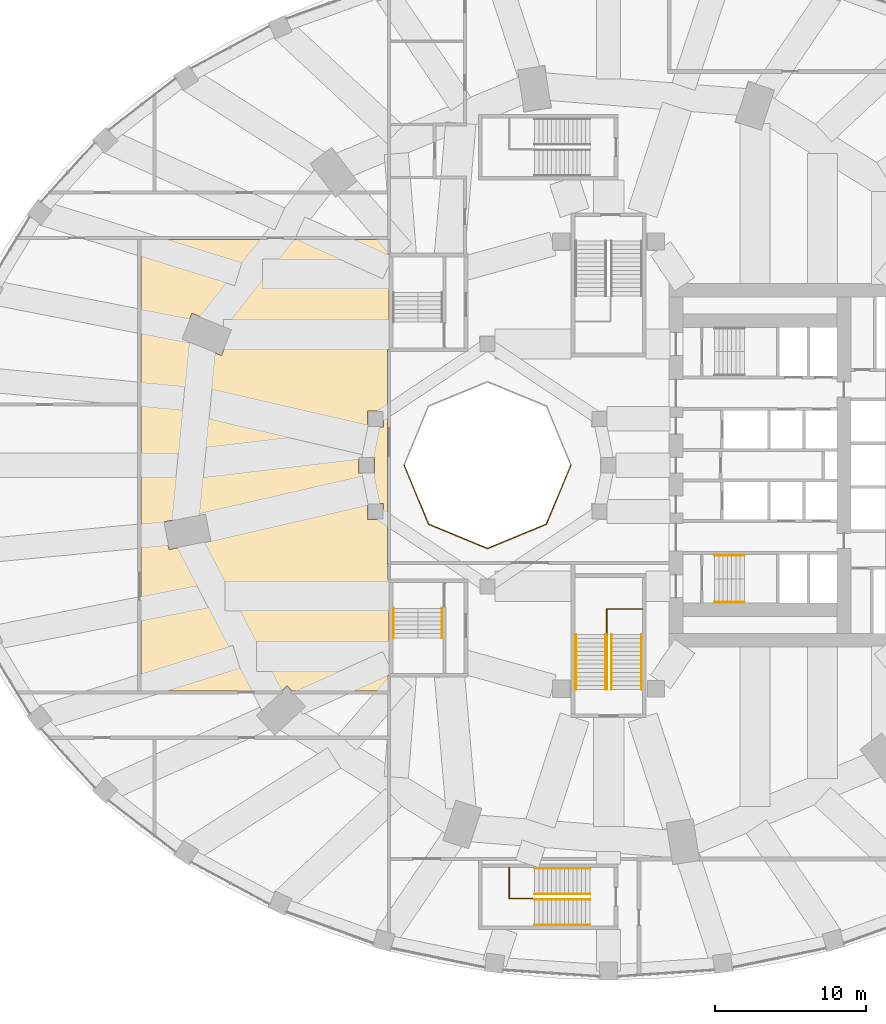
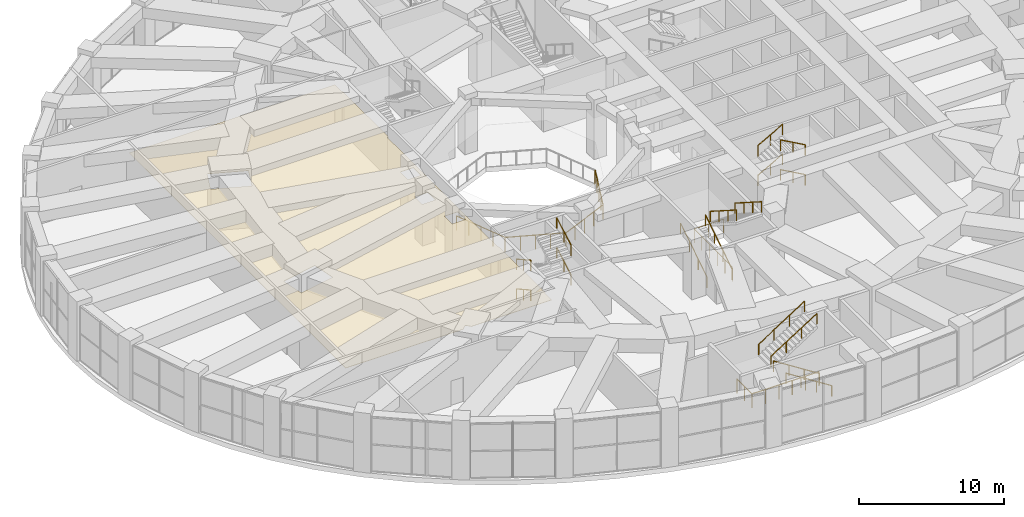
# One storey, part 28 of 32: 19 railings, 1 covering.
"""IFC4 building model written with IfcOpenShell, lengths in metres."""

from ifc_helpers import new_model, si_unit, direction, frame, origin, origin_2d, place, context, subcontext, project, spatial, polyline, circle, outline, extrude, material, layer, layer_set, type_object, element, save


model = new_model("IFC4")

# Units and contexts
model_context = context("Model", 3, precision=1e-05, world=origin(), true_north=direction((0.0, 1.0)))
body_context = subcontext(model_context, "Body", "Model", "MODEL_VIEW")
ifc_project = project(units=[si_unit("LENGTHUNIT", "METRE"), si_unit("AREAUNIT", "SQUARE_METRE"), si_unit("VOLUMEUNIT", "CUBIC_METRE"), si_unit("PLANEANGLEUNIT", "RADIAN"), si_unit("MASSUNIT", "GRAM", prefix="KILO")], contexts=[model_context])

# Site, building, storey
site_placement = place(None, origin())
site = spatial("IfcSite", under=ifc_project, at=site_placement, CompositionType="ELEMENT")
building_placement = place(site_placement, origin())
building = spatial("IfcBuilding", under=site, at=building_placement, Name="Taillehof Tower", CompositionType="ELEMENT")
storey_placement = place(building_placement, frame((0.0, 0.0, 7.5)))
storey = spatial("IfcBuildingStorey", under=building, at=storey_placement, Name="L01", CompositionType="ELEMENT", Elevation=7.5)

# Railings
ifc_material_1 = material(Name="Stainless steel and laminated glass", Category="steel")
railing_type_1 = type_object("IfcRailingType", Name="Guard 1200 mm", PredefinedType="GUARDRAIL", material=ifc_material_1)
railing_1_placement = place(storey_placement, frame((-13.5, 0.0, 0.0)))
element("IfcRailing", 1, at=railing_1_placement, inside=storey, type_object=railing_type_1, Name="Guard atrium", PredefinedType="GUARDRAIL", context=body_context, shape_type="SweptSolid", body=[
    extrude(circle(Radius=0.02392578125, at=origin_2d()), frame((0.0, 0.0, 1.17578125), z_axis=(0.38266253946, -0.923888186359, 0.0), x_axis=(0.923888186359, 0.38266253946, 0.0)), (0.0, 0.0, 1.0), 4.20947265625),
    extrude(circle(Radius=0.02392578125, at=origin_2d()), frame((1.61083984375, -3.88916015625, 1.17578125), z_axis=(0.923888186359, -0.38266253946, 0.0), x_axis=(0.38266253946, 0.923888186359, 0.0)), (0.0, 0.0, 1.0), 4.20947265625),
    extrude(circle(Radius=0.02392578125, at=origin_2d()), frame((5.5, -5.5, 1.17578125), z_axis=(0.923888186359, 0.38266253946, 0.0), x_axis=(-0.38266253946, 0.923888186359, 0.0)), (0.0, 0.0, 1.0), 4.20947265625),
    extrude(circle(Radius=0.02392578125, at=origin_2d()), frame((9.38916015625, -3.88916015625, 1.17578125), z_axis=(0.38266253946, 0.923888186359, 0.0), x_axis=(-0.923888186359, 0.38266253946, 0.0)), (0.0, 0.0, 1.0), 4.20947265625),
    extrude(circle(Radius=0.02099609375, at=origin_2d()), origin(), (0.0, 0.0, 1.0), 1.15185546875),
    extrude(circle(Radius=0.02099609375, at=origin_2d()), frame((0.40283203125, -0.97216796875, 0.0)), (0.0, 0.0, 1.0), 1.15185546875),
    extrude(circle(Radius=0.02099609375, at=origin_2d()), frame((0.805419921875, -1.944580078125, 0.0)), (0.0, 0.0, 1.0), 1.15185546875),
    extrude(circle(Radius=0.02099609375, at=origin_2d()), frame((1.2080078125, -2.9169921875, 0.0)), (0.0, 0.0, 1.0), 1.15185546875),
    extrude(circle(Radius=0.02099609375, at=origin_2d()), frame((1.61083984375, -3.88916015625, 0.0)), (0.0, 0.0, 1.0), 1.15185546875),
    extrude(circle(Radius=0.02099609375, at=origin_2d()), frame((2.5830078125, -4.2919921875, 0.0)), (0.0, 0.0, 1.0), 1.15185546875),
    extrude(circle(Radius=0.02099609375, at=origin_2d()), frame((3.555419921875, -4.694580078125, 0.0)), (0.0, 0.0, 1.0), 1.15185546875),
    extrude(circle(Radius=0.02099609375, at=origin_2d()), frame((4.52783203125, -5.09716796875, 0.0)), (0.0, 0.0, 1.0), 1.15185546875),
    extrude(circle(Radius=0.02099609375, at=origin_2d()), frame((5.5, -5.5, 0.0)), (0.0, 0.0, 1.0), 1.15185546875),
    extrude(circle(Radius=0.02099609375, at=origin_2d()), frame((6.47216796875, -5.09716796875, 0.0)), (0.0, 0.0, 1.0), 1.15185546875),
    extrude(circle(Radius=0.02099609375, at=origin_2d()), frame((7.444580078125, -4.694580078125, 0.0)), (0.0, 0.0, 1.0), 1.15185546875),
    extrude(circle(Radius=0.02099609375, at=origin_2d()), frame((8.4169921875, -4.2919921875, 0.0)), (0.0, 0.0, 1.0), 1.15185546875),
    extrude(circle(Radius=0.02099609375, at=origin_2d()), frame((9.38916015625, -3.88916015625, 0.0)), (0.0, 0.0, 1.0), 1.15185546875),
    extrude(circle(Radius=0.02099609375, at=origin_2d()), frame((9.7919921875, -2.9169921875, 0.0)), (0.0, 0.0, 1.0), 1.15185546875),
    extrude(circle(Radius=0.02099609375, at=origin_2d()), frame((10.194580078125, -1.944580078125, 0.0)), (0.0, 0.0, 1.0), 1.15185546875),
    extrude(circle(Radius=0.02099609375, at=origin_2d()), frame((10.59716796875, -0.97216796875, 0.0)), (0.0, 0.0, 1.0), 1.15185546875),
    extrude(circle(Radius=0.02099609375, at=origin_2d()), frame((11.0, 0.0, 0.0)), (0.0, 0.0, 1.0), 1.15185546875),
])
railing_2_placement = place(storey_placement, frame((-0.125, -14.820068359375, 0.0)))
element("IfcRailing", 2, at=railing_2_placement, inside=storey, type_object=railing_type_1, Name="Guard P2", PredefinedType="GUARDRAIL", context=body_context, shape_type="SweptSolid", body=[
    extrude(circle(Radius=0.02392578125, at=origin_2d()), frame((0.0, 0.0, 1.17578125), z_axis=(0.0, 1.0, 0.0), x_axis=(-1.0, 0.0, 0.0)), (0.0, 0.0, 1.0), 5.320068359375),
    extrude(circle(Radius=0.02392578125, at=origin_2d()), frame((0.0, 5.320068359375, 1.17578125), z_axis=(1.0, 0.0, 0.0), x_axis=(0.0, 1.0, 0.0)), (0.0, 0.0, 1.0), 2.35009765625),
    extrude(circle(Radius=0.02099609375, at=origin_2d()), origin(), (0.0, 0.0, 1.0), 1.15185546875),
    extrude(circle(Radius=0.02099609375, at=origin_2d()), frame((0.0, 1.06396484375, 0.0)), (0.0, 0.0, 1.0), 1.15185546875),
    extrude(circle(Radius=0.02099609375, at=origin_2d()), frame((0.0, 2.1279296875, 0.0)), (0.0, 0.0, 1.0), 1.15185546875),
    extrude(circle(Radius=0.02099609375, at=origin_2d()), frame((0.0, 3.192138671875, 0.0)), (0.0, 0.0, 1.0), 1.15185546875),
    extrude(circle(Radius=0.02099609375, at=origin_2d()), frame((0.0, 4.256103515625, 0.0)), (0.0, 0.0, 1.0), 1.15185546875),
    extrude(circle(Radius=0.02099609375, at=origin_2d()), frame((0.0, 5.320068359375, 0.0)), (0.0, 0.0, 1.0), 1.15185546875),
    extrude(circle(Radius=0.02099609375, at=origin_2d()), frame((1.175048828125, 5.320068359375, 0.0)), (0.0, 0.0, 1.0), 1.15185546875),
    extrude(circle(Radius=0.02099609375, at=origin_2d()), frame((2.35009765625, 5.320068359375, 0.0)), (0.0, 0.0, 1.0), 1.15185546875),
])
railing_3_placement = place(storey_placement, frame((-1.239990234375, -28.625, 0.0)))
element("IfcRailing", 3, at=railing_3_placement, inside=storey, type_object=railing_type_1, Name="Guard P4", PredefinedType="GUARDRAIL", context=body_context, shape_type="SweptSolid", body=[
    extrude(circle(Radius=0.02392578125, at=origin_2d()), frame((0.0, 0.0, 1.17578125), z_axis=(-1.0, 0.0, 0.0), x_axis=(0.0, -1.0, 0.0)), (0.0, 0.0, 1.0), 5.320068359375),
    extrude(circle(Radius=0.02392578125, at=origin_2d()), frame((-5.320068359375, 0.0, 1.17578125), z_axis=(0.0, 1.0, 0.0), x_axis=(-1.0, 0.0, 0.0)), (0.0, 0.0, 1.0), 2.050048828125),
    extrude(circle(Radius=0.02099609375, at=origin_2d()), origin(), (0.0, 0.0, 1.0), 1.15185546875),
    extrude(circle(Radius=0.02099609375, at=origin_2d()), frame((-1.06396484375, 0.0, 0.0)), (0.0, 0.0, 1.0), 1.15185546875),
    extrude(circle(Radius=0.02099609375, at=origin_2d()), frame((-2.1279296875, 0.0, 0.0)), (0.0, 0.0, 1.0), 1.15185546875),
    extrude(circle(Radius=0.02099609375, at=origin_2d()), frame((-3.192138671875, 0.0, 0.0)), (0.0, 0.0, 1.0), 1.15185546875),
    extrude(circle(Radius=0.02099609375, at=origin_2d()), frame((-4.256103515625, 0.0, 0.0)), (0.0, 0.0, 1.0), 1.15185546875),
    extrude(circle(Radius=0.02099609375, at=origin_2d()), frame((-5.320068359375, 0.0, 0.0)), (0.0, 0.0, 1.0), 1.15185546875),
    extrude(circle(Radius=0.02099609375, at=origin_2d()), frame((-5.320068359375, 1.02490234375, 0.0)), (0.0, 0.0, 1.0), 1.15185546875),
    extrude(circle(Radius=0.02099609375, at=origin_2d()), frame((-5.320068359375, 2.050048828125, 0.0)), (0.0, 0.0, 1.0), 1.15185546875),
])
ifc_material_2 = material(Name="Stainless steel tube", Category="steel")
railing_type_2 = type_object("IfcRailingType", Name="Handrail 900 mm", PredefinedType="HANDRAIL", material=ifc_material_2)
for number, where, name in (
    (4, (-2.1650390625, -14.820068359375, 0.1787109375), "Handrail P2"),
    (5, (-0.18505859375, -14.820068359375, 0.1787109375), "Handrail P2"),
):
    element("IfcRailing", number, at=place(storey_placement, frame(where)), inside=storey, type_object=railing_type_2, Name=name, PredefinedType="HANDRAIL", context=body_context, shape_type="SweptSolid", body=[
        extrude(circle(Radius=0.02392578125, at=origin_2d()), frame((0.0, 0.0, 0.8759765625), z_axis=(0.0, 0.843153495434, 0.537672933239), x_axis=(-1.0, 0.0, 0.0)), (0.0, 0.0, 1.0), 4.3173828125),
        extrude(circle(Radius=0.02099609375, at=origin_2d()), origin(), (0.0, 0.0, 1.0), 0.851806640625),
        extrude(circle(Radius=0.02099609375, at=origin_2d()), frame((0.0, 1.21337890625, 0.773681640625)), (0.0, 0.0, 1.0), 0.851806640625),
        extrude(circle(Radius=0.02099609375, at=origin_2d()), frame((0.0, 2.4267578125, 1.547607421875)), (0.0, 0.0, 1.0), 0.851806640625),
        extrude(circle(Radius=0.02099609375, at=origin_2d()), frame((0.0, 3.64013671875, 2.3212890625)), (0.0, 0.0, 1.0), 0.851806640625),
    ])
for number, where, name in (
    (6, (0.18505859375, -11.179931640625, 2.6787109375), "Handrail P2"),
    (7, (2.1650390625, -11.179931640625, 2.6787109375), "Handrail P2"),
):
    element("IfcRailing", number, at=place(storey_placement, frame(where)), inside=storey, type_object=railing_type_2, Name=name, PredefinedType="HANDRAIL", context=body_context, shape_type="SweptSolid", body=[
        extrude(circle(Radius=0.02392578125, at=origin_2d()), frame((0.0, 0.0, 0.8759765625), z_axis=(0.0, -0.843153495434, 0.537672933239), x_axis=(1.0, 0.0, 0.0)), (0.0, 0.0, 1.0), 4.3173828125),
        extrude(circle(Radius=0.02099609375, at=origin_2d()), origin(), (0.0, 0.0, 1.0), 0.851806640625),
        extrude(circle(Radius=0.02099609375, at=origin_2d()), frame((0.0, -1.21337890625, 0.773681640625)), (0.0, 0.0, 1.0), 0.851806640625),
        extrude(circle(Radius=0.02099609375, at=origin_2d()), frame((0.0, -2.4267578125, 1.547607421875)), (0.0, 0.0, 1.0), 0.851806640625),
        extrude(circle(Radius=0.02099609375, at=origin_2d()), frame((0.0, -3.64013671875, 2.3212890625)), (0.0, 0.0, 1.0), 0.851806640625),
    ])
for number, where, name in (
    (8, (-1.239990234375, -30.364990234375, 0.1787109375), "Handrail P4"),
    (9, (-1.239990234375, -28.68505859375, 0.1787109375), "Handrail P4"),
):
    element("IfcRailing", number, at=place(storey_placement, frame(where)), inside=storey, type_object=railing_type_2, Name=name, PredefinedType="HANDRAIL", context=body_context, shape_type="SweptSolid", body=[
        extrude(circle(Radius=0.02392578125, at=origin_2d()), frame((0.0, 0.0, 0.8759765625), z_axis=(-0.843137146238, 0.0, 0.537698570422), x_axis=(0.0, -1.0, 0.0)), (0.0, 0.0, 1.0), 4.317138671875),
        extrude(circle(Radius=0.02099609375, at=origin_2d()), origin(), (0.0, 0.0, 1.0), 0.851806640625),
        extrude(circle(Radius=0.02099609375, at=origin_2d()), frame((-1.21337890625, 0.0, 0.773681640625)), (0.0, 0.0, 1.0), 0.851806640625),
        extrude(circle(Radius=0.02099609375, at=origin_2d()), frame((-2.426513671875, 0.0, 1.547607421875)), (0.0, 0.0, 1.0), 0.851806640625),
        extrude(circle(Radius=0.02099609375, at=origin_2d()), frame((-3.639892578125, 0.0, 2.3212890625)), (0.0, 0.0, 1.0), 0.851806640625),
    ])
for number, where, name in (
    (10, (-4.8798828125, -28.31494140625, 2.6787109375), "Handrail P4"),
    (11, (-4.8798828125, -26.635009765625, 2.6787109375), "Handrail P4"),
):
    element("IfcRailing", number, at=place(storey_placement, frame(where)), inside=storey, type_object=railing_type_2, Name=name, PredefinedType="HANDRAIL", context=body_context, shape_type="SweptSolid", body=[
        extrude(circle(Radius=0.02392578125, at=origin_2d()), frame((0.0, 0.0, 0.8759765625), z_axis=(0.843137146238, 0.0, 0.537698570422), x_axis=(0.0, 1.0, 0.0)), (0.0, 0.0, 1.0), 4.317138671875),
        extrude(circle(Radius=0.02099609375, at=origin_2d()), origin(), (0.0, 0.0, 1.0), 0.851806640625),
        extrude(circle(Radius=0.02099609375, at=origin_2d()), frame((1.21337890625, 0.0, 0.773681640625)), (0.0, 0.0, 1.0), 0.851806640625),
        extrude(circle(Radius=0.02099609375, at=origin_2d()), frame((2.426513671875, 0.0, 1.547607421875)), (0.0, 0.0, 1.0), 0.851806640625),
        extrude(circle(Radius=0.02099609375, at=origin_2d()), frame((3.639892578125, 0.0, 2.3212890625)), (0.0, 0.0, 1.0), 0.851806640625),
    ])
ifc_material_3 = material(Name="Stainless steel", Category="steel")
railing_type_3 = type_object("IfcRailingType", Name="Stair handrail 900", PredefinedType="HANDRAIL", material=ifc_material_3)
railing_4_placement = place(storey_placement, frame((7.0, -5.949951171875, 0.15625)))
element("IfcRailing", 12, at=railing_4_placement, inside=storey, type_object=railing_type_3, Name="Stair S2 handrail", PredefinedType="HANDRAIL", context=body_context, shape_type="SweptSolid", body=[
    extrude(circle(Radius=0.02392578125, at=origin_2d()), frame((0.0, 0.0, 0.8759765625), z_axis=(0.873232148454, 0.0, 0.487304437602), x_axis=(0.0, 1.0, 0.0)), (0.0, 0.0, 1.0), 2.244384765625),
    extrude(circle(Radius=0.02099609375, at=origin_2d()), origin(), (0.0, 0.0, 1.0), 0.851806640625),
    extrude(circle(Radius=0.02099609375, at=origin_2d()), frame((0.97998046875, 0.0, 0.546875)), (0.0, 0.0, 1.0), 0.851806640625),
    extrude(circle(Radius=0.02099609375, at=origin_2d()), frame((1.9599609375, 0.0, 1.09375)), (0.0, 0.0, 1.0), 0.851806640625),
])
railing_5_placement = place(storey_placement, frame((8.9599609375, -9.050048828125, 1.40625)))
element("IfcRailing", 13, at=railing_5_placement, inside=storey, type_object=railing_type_3, Name="Stair S2 handrail", PredefinedType="HANDRAIL", context=body_context, shape_type="SweptSolid", body=[
    extrude(circle(Radius=0.02392578125, at=origin_2d()), frame((0.0, 0.0, 0.8759765625), z_axis=(-0.873232148454, 0.0, 0.487304437602), x_axis=(0.0, -1.0, 0.0)), (0.0, 0.0, 1.0), 2.244384765625),
    extrude(circle(Radius=0.02099609375, at=origin_2d()), origin(), (0.0, 0.0, 1.0), 0.851806640625),
    extrude(circle(Radius=0.02099609375, at=origin_2d()), frame((-0.97998046875, 0.0, 0.546875)), (0.0, 0.0, 1.0), 0.851806640625),
    extrude(circle(Radius=0.02099609375, at=origin_2d()), frame((-1.9599609375, 0.0, 1.09375)), (0.0, 0.0, 1.0), 0.851806640625),
])
railing_6_placement = place(storey_placement, frame((7.0, -5.949951171875, 2.65625)))
element("IfcRailing", 14, at=railing_6_placement, inside=storey, type_object=railing_type_3, Name="Stair S2 handrail", PredefinedType="HANDRAIL", context=body_context, shape_type="SweptSolid", body=[
    extrude(circle(Radius=0.02392578125, at=origin_2d()), frame((0.0, 0.0, 0.8759765625), z_axis=(0.873232148454, 0.0, 0.487304437602), x_axis=(0.0, 1.0, 0.0)), (0.0, 0.0, 1.0), 2.244384765625),
    extrude(circle(Radius=0.02099609375, at=origin_2d()), origin(), (0.0, 0.0, 1.0), 0.851806640625),
    extrude(circle(Radius=0.02099609375, at=origin_2d()), frame((0.97998046875, 0.0, 0.546875)), (0.0, 0.0, 1.0), 0.851806640625),
    extrude(circle(Radius=0.02099609375, at=origin_2d()), frame((1.9599609375, 0.0, 1.09375)), (0.0, 0.0, 1.0), 0.851806640625),
])
railing_7_placement = place(storey_placement, frame((8.9599609375, -9.050048828125, 3.90625)))
element("IfcRailing", 15, at=railing_7_placement, inside=storey, type_object=railing_type_3, Name="Stair S2 handrail", PredefinedType="HANDRAIL", context=body_context, shape_type="SweptSolid", body=[
    extrude(circle(Radius=0.02392578125, at=origin_2d()), frame((0.0, 0.0, 0.8759765625), z_axis=(-0.873232148454, 0.0, 0.487304437602), x_axis=(0.0, -1.0, 0.0)), (0.0, 0.0, 1.0), 2.244384765625),
    extrude(circle(Radius=0.02099609375, at=origin_2d()), origin(), (0.0, 0.0, 1.0), 0.851806640625),
    extrude(circle(Radius=0.02099609375, at=origin_2d()), frame((-0.97998046875, 0.0, 0.546875)), (0.0, 0.0, 1.0), 0.851806640625),
    extrude(circle(Radius=0.02099609375, at=origin_2d()), frame((-1.9599609375, 0.0, 1.09375)), (0.0, 0.0, 1.0), 0.851806640625),
])
railing_8_placement = place(storey_placement, frame((-14.199951171875, -9.449951171875, 0.15625)))
element("IfcRailing", 16, at=railing_8_placement, inside=storey, type_object=railing_type_3, Name="Stair S4 handrail", PredefinedType="HANDRAIL", context=body_context, shape_type="SweptSolid", body=[
    extrude(circle(Radius=0.02392578125, at=origin_2d()), frame((0.0, 0.0, 0.8759765625), z_axis=(0.0, -0.873232148454, 0.487304437602), x_axis=(1.0, 0.0, 0.0)), (0.0, 0.0, 1.0), 2.244384765625),
    extrude(circle(Radius=0.02099609375, at=origin_2d()), origin(), (0.0, 0.0, 1.0), 0.851806640625),
    extrude(circle(Radius=0.02099609375, at=origin_2d()), frame((0.0, -0.97998046875, 0.546875)), (0.0, 0.0, 1.0), 0.851806640625),
    extrude(circle(Radius=0.02099609375, at=origin_2d()), frame((0.0, -1.9599609375, 1.09375)), (0.0, 0.0, 1.0), 0.851806640625),
])
railing_9_placement = place(storey_placement, frame((-11.0, -11.409912109375, 1.40625)))
element("IfcRailing", 17, at=railing_9_placement, inside=storey, type_object=railing_type_3, Name="Stair S4 handrail", PredefinedType="HANDRAIL", context=body_context, shape_type="SweptSolid", body=[
    extrude(circle(Radius=0.02392578125, at=origin_2d()), frame((0.0, 0.0, 0.8759765625), z_axis=(0.0, 0.873232148454, 0.487304437602), x_axis=(-1.0, 0.0, 0.0)), (0.0, 0.0, 1.0), 2.244384765625),
    extrude(circle(Radius=0.02099609375, at=origin_2d()), origin(), (0.0, 0.0, 1.0), 0.851806640625),
    extrude(circle(Radius=0.02099609375, at=origin_2d()), frame((0.0, 0.97998046875, 0.546875)), (0.0, 0.0, 1.0), 0.851806640625),
    extrude(circle(Radius=0.02099609375, at=origin_2d()), frame((0.0, 1.9599609375, 1.09375)), (0.0, 0.0, 1.0), 0.851806640625),
])
railing_10_placement = place(storey_placement, frame((-14.199951171875, -9.449951171875, 2.65625)))
element("IfcRailing", 18, at=railing_10_placement, inside=storey, type_object=railing_type_3, Name="Stair S4 handrail", PredefinedType="HANDRAIL", context=body_context, shape_type="SweptSolid", body=[
    extrude(circle(Radius=0.02392578125, at=origin_2d()), frame((0.0, 0.0, 0.8759765625), z_axis=(0.0, -0.873232148454, 0.487304437602), x_axis=(1.0, 0.0, 0.0)), (0.0, 0.0, 1.0), 2.244384765625),
    extrude(circle(Radius=0.02099609375, at=origin_2d()), origin(), (0.0, 0.0, 1.0), 0.851806640625),
    extrude(circle(Radius=0.02099609375, at=origin_2d()), frame((0.0, -0.97998046875, 0.546875)), (0.0, 0.0, 1.0), 0.851806640625),
    extrude(circle(Radius=0.02099609375, at=origin_2d()), frame((0.0, -1.9599609375, 1.09375)), (0.0, 0.0, 1.0), 0.851806640625),
])
railing_11_placement = place(storey_placement, frame((-11.0, -11.409912109375, 3.90625)))
element("IfcRailing", 19, at=railing_11_placement, inside=storey, type_object=railing_type_3, Name="Stair S4 handrail", PredefinedType="HANDRAIL", context=body_context, shape_type="SweptSolid", body=[
    extrude(circle(Radius=0.02392578125, at=origin_2d()), frame((0.0, 0.0, 0.8759765625), z_axis=(0.0, 0.873232148454, 0.487304437602), x_axis=(-1.0, 0.0, 0.0)), (0.0, 0.0, 1.0), 2.244384765625),
    extrude(circle(Radius=0.02099609375, at=origin_2d()), origin(), (0.0, 0.0, 1.0), 0.851806640625),
    extrude(circle(Radius=0.02099609375, at=origin_2d()), frame((0.0, 0.97998046875, 0.546875)), (0.0, 0.0, 1.0), 0.851806640625),
    extrude(circle(Radius=0.02099609375, at=origin_2d()), frame((0.0, 1.9599609375, 1.09375)), (0.0, 0.0, 1.0), 0.851806640625),
])

# Covering
ifc_material_4 = material(Name="Mineral fibre ceiling tiles")
ifc_layer = layer(ifc_material_4, 0.030029296875)
ifc_layer_set = layer_set([ifc_layer], Name="Suspended ceiling 30 mm")
covering_type = type_object("IfcCoveringType", Name="Suspended ceiling 30 mm", PredefinedType="CEILING", material=ifc_layer_set)
covering_placement = place(storey_placement, frame((0.0, 0.0, 3.510009765625)))
element("IfcCovering", 20, at=covering_placement, inside=storey, type_object=covering_type, Name="Ceiling L01-20", PredefinedType="CEILING", context=body_context, shape_type="SweptSolid", body=[
    extrude(outline(polyline([(-30.89990234375, -14.89990234375), (-30.89990234375, 3.89990234375), (-30.89990234375, 14.89990234375), (-14.60009765625, 14.89990234375), (-14.5625, 14.89990234375), (-14.5625, 13.9375), (-14.5, 13.9375), (-14.5, 7.60009765625), (-14.60009765625, 7.60009765625), (-14.60009765625, -6.550048828125), (-14.5625, -6.550048828125), (-14.5625, -7.5625), (-14.5, -7.5625), (-14.5, -13.9375), (-14.5625, -13.9375), (-14.5625, -14.89990234375), (-20.92724609375, -14.89990234375), (-21.211669921875, -14.59619140625), (-21.2138671875, -14.593994140625), (-21.216064453125, -14.59228515625), (-21.218505859375, -14.590576171875), (-21.22119140625, -14.58935546875), (-21.223876953125, -14.588134765625), (-21.226806640625, -14.58740234375), (-21.229736328125, -14.5869140625), (-21.232666015625, -14.586669921875), (-21.235595703125, -14.586669921875), (-21.238525390625, -14.5869140625), (-21.241455078125, -14.587646484375), (-21.244140625, -14.588623046875), (-21.246826171875, -14.589599609375), (-21.24951171875, -14.591064453125), (-21.251953125, -14.5927734375), (-21.254150390625, -14.5947265625), (-21.580322265625, -14.89990234375), (-30.89990234375, -14.89990234375)]), holes=[polyline([(-26.614990234375, -3.201904296875), (-26.617919921875, -3.201416015625), (-26.620849609375, -3.201416015625), (-26.623779296875, -3.201416015625), (-26.626708984375, -3.201904296875), (-29.3740234375, -3.7421875), (-29.376708984375, -3.742919921875), (-29.379638671875, -3.743896484375), (-29.38232421875, -3.7451171875), (-29.384765625, -3.746826171875), (-29.38720703125, -3.74853515625), (-29.389404296875, -3.75048828125), (-29.391357421875, -3.752685546875), (-29.39306640625, -3.7548828125), (-29.39453125, -3.757568359375), (-29.395751953125, -3.76025390625), (-29.39697265625, -3.762939453125), (-29.397705078125, -3.765869140625), (-29.39794921875, -3.768798828125), (-29.398193359375, -3.771728515625), (-29.39794921875, -3.774658203125), (-29.397705078125, -3.777587890625), (-29.05029296875, -5.543701171875), (-29.049560546875, -5.546630859375), (-29.048583984375, -5.54931640625), (-29.04736328125, -5.552001953125), (-29.0458984375, -5.554443359375), (-29.0439453125, -5.556884765625), (-29.0419921875, -5.55908203125), (-29.039794921875, -5.56103515625), (-29.03759765625, -5.562744140625), (-29.034912109375, -5.564208984375), (-29.032470703125, -5.565673828125), (-29.029541015625, -5.566650390625), (-29.02685546875, -5.5673828125), (-29.02392578125, -5.567626953125), (-29.02099609375, -5.56787109375), (-29.01806640625, -5.567626953125), (-29.01513671875, -5.5673828125), (-26.267578125, -5.02685546875), (-26.264892578125, -5.0263671875), (-26.261962890625, -5.025390625), (-26.25927734375, -5.02392578125), (-26.2568359375, -5.0224609375), (-26.25439453125, -5.020751953125), (-26.252197265625, -5.018798828125), (-26.250244140625, -5.0166015625), (-26.24853515625, -5.01416015625), (-26.2470703125, -5.01171875), (-26.245849609375, -5.009033203125), (-26.244873046875, -5.00634765625), (-26.244140625, -5.00341796875), (-26.24365234375, -5.00048828125), (-26.243408203125, -4.99755859375), (-26.24365234375, -4.99462890625), (-26.244140625, -4.99169921875), (-26.59130859375, -3.2255859375), (-26.592041015625, -3.22265625), (-26.593017578125, -3.219970703125), (-26.59423828125, -3.21728515625), (-26.595947265625, -3.21484375), (-26.59765625, -3.21240234375), (-26.599609375, -3.210205078125), (-26.601806640625, -3.208251953125), (-26.60400390625, -3.20654296875), (-26.606689453125, -3.204833984375), (-26.609375, -3.20361328125), (-26.612060546875, -3.20263671875), (-26.614990234375, -3.201904296875)]), polyline([(-15.902587890625, -3.589111328125), (-15.899658203125, -3.590087890625), (-15.89697265625, -3.5908203125), (-15.89404296875, -3.59130859375), (-15.89111328125, -3.591552734375), (-14.89111328125, -3.591552734375), (-14.88818359375, -3.59130859375), (-14.88525390625, -3.5908203125), (-14.88232421875, -3.590087890625), (-14.879638671875, -3.589111328125), (-14.876953125, -3.587890625), (-14.874267578125, -3.58642578125), (-14.8720703125, -3.584716796875), (-14.869873046875, -3.582763671875), (-14.867919921875, -3.58056640625), (-14.8662109375, -3.578125), (-14.864501953125, -3.57568359375), (-14.86328125, -3.572998046875), (-14.8623046875, -3.570068359375), (-14.861572265625, -3.5673828125), (-14.861083984375, -3.564453125), (-14.861083984375, -3.5615234375), (-14.861083984375, -2.5615234375), (-14.861083984375, -2.55859375), (-14.861572265625, -2.5556640625), (-14.8623046875, -2.552734375), (-14.86328125, -2.550048828125), (-14.864501953125, -2.54736328125), (-14.8662109375, -2.544921875), (-14.867919921875, -2.54248046875), (-14.869873046875, -2.540283203125), (-14.8720703125, -2.538330078125), (-14.874267578125, -2.53662109375), (-14.876953125, -2.534912109375), (-14.879638671875, -2.53369140625), (-14.88232421875, -2.53271484375), (-14.88525390625, -2.531982421875), (-14.88818359375, -2.531494140625), (-14.89111328125, -2.531494140625), (-15.89111328125, -2.531494140625), (-15.89404296875, -2.531494140625), (-15.89697265625, -2.531982421875), (-15.899658203125, -2.53271484375), (-15.902587890625, -2.53369140625), (-15.9052734375, -2.534912109375), (-15.90771484375, -2.53662109375), (-15.91015625, -2.538330078125), (-15.912353515625, -2.540283203125), (-15.914306640625, -2.54248046875), (-15.916015625, -2.544921875), (-15.91748046875, -2.54736328125), (-15.918701171875, -2.550048828125), (-15.919677734375, -2.552734375), (-15.92041015625, -2.5556640625), (-15.9208984375, -2.55859375), (-15.921142578125, -2.5615234375), (-15.921142578125, -3.5615234375), (-15.9208984375, -3.564453125), (-15.92041015625, -3.5673828125), (-15.919677734375, -3.570068359375), (-15.918701171875, -3.572998046875), (-15.91748046875, -3.57568359375), (-15.916015625, -3.578125), (-15.914306640625, -3.58056640625), (-15.912353515625, -3.582763671875), (-15.91015625, -3.584716796875), (-15.90771484375, -3.58642578125), (-15.9052734375, -3.587890625), (-15.902587890625, -3.589111328125)]), polyline([(-16.511474609375, -0.52783203125), (-16.5087890625, -0.52880859375), (-16.505859375, -0.529541015625), (-16.5029296875, -0.52978515625), (-16.5, -0.530029296875), (-15.5, -0.530029296875), (-15.4970703125, -0.52978515625), (-15.494140625, -0.529541015625), (-15.4912109375, -0.52880859375), (-15.488525390625, -0.52783203125), (-15.48583984375, -0.5263671875), (-15.4833984375, -0.52490234375), (-15.48095703125, -0.523193359375), (-15.478759765625, -0.521240234375), (-15.476806640625, -0.51904296875), (-15.47509765625, -0.5166015625), (-15.4736328125, -0.51416015625), (-15.47216796875, -0.511474609375), (-15.47119140625, -0.5087890625), (-15.470458984375, -0.505859375), (-15.47021484375, -0.5029296875), (-15.469970703125, -0.5), (-15.469970703125, 0.5), (-15.47021484375, 0.5029296875), (-15.470458984375, 0.505859375), (-15.47119140625, 0.5087890625), (-15.47216796875, 0.511474609375), (-15.4736328125, 0.51416015625), (-15.47509765625, 0.5166015625), (-15.476806640625, 0.51904296875), (-15.478759765625, 0.521240234375), (-15.48095703125, 0.523193359375), (-15.4833984375, 0.52490234375), (-15.48583984375, 0.5263671875), (-15.488525390625, 0.52783203125), (-15.4912109375, 0.52880859375), (-15.494140625, 0.529541015625), (-15.4970703125, 0.52978515625), (-15.5, 0.530029296875), (-16.5, 0.530029296875), (-16.5029296875, 0.52978515625), (-16.505859375, 0.529541015625), (-16.5087890625, 0.52880859375), (-16.511474609375, 0.52783203125), (-16.51416015625, 0.5263671875), (-16.5166015625, 0.52490234375), (-16.51904296875, 0.523193359375), (-16.521240234375, 0.521240234375), (-16.523193359375, 0.51904296875), (-16.52490234375, 0.5166015625), (-16.5263671875, 0.51416015625), (-16.52783203125, 0.511474609375), (-16.52880859375, 0.5087890625), (-16.529541015625, 0.505859375), (-16.52978515625, 0.5029296875), (-16.530029296875, 0.5), (-16.530029296875, -0.5), (-16.52978515625, -0.5029296875), (-16.529541015625, -0.505859375), (-16.52880859375, -0.5087890625), (-16.52783203125, -0.511474609375), (-16.5263671875, -0.51416015625), (-16.52490234375, -0.5166015625), (-16.523193359375, -0.51904296875), (-16.521240234375, -0.521240234375), (-16.51904296875, -0.523193359375), (-16.5166015625, -0.52490234375), (-16.51416015625, -0.5263671875), (-16.511474609375, -0.52783203125)]), polyline([(-15.902587890625, 2.53369140625), (-15.899658203125, 2.53271484375), (-15.89697265625, 2.531982421875), (-15.89404296875, 2.531494140625), (-15.89111328125, 2.531494140625), (-14.89111328125, 2.531494140625), (-14.88818359375, 2.531494140625), (-14.88525390625, 2.531982421875), (-14.88232421875, 2.53271484375), (-14.879638671875, 2.53369140625), (-14.876953125, 2.534912109375), (-14.874267578125, 2.53662109375), (-14.8720703125, 2.538330078125), (-14.869873046875, 2.540283203125), (-14.867919921875, 2.54248046875), (-14.8662109375, 2.544921875), (-14.864501953125, 2.54736328125), (-14.86328125, 2.550048828125), (-14.8623046875, 2.552734375), (-14.861572265625, 2.5556640625), (-14.861083984375, 2.55859375), (-14.861083984375, 2.5615234375), (-14.861083984375, 3.5615234375), (-14.861083984375, 3.564453125), (-14.861572265625, 3.5673828125), (-14.8623046875, 3.570068359375), (-14.86328125, 3.572998046875), (-14.864501953125, 3.57568359375), (-14.8662109375, 3.578125), (-14.867919921875, 3.58056640625), (-14.869873046875, 3.582763671875), (-14.8720703125, 3.584716796875), (-14.874267578125, 3.58642578125), (-14.876953125, 3.587890625), (-14.879638671875, 3.589111328125), (-14.88232421875, 3.590087890625), (-14.88525390625, 3.5908203125), (-14.88818359375, 3.59130859375), (-14.89111328125, 3.591552734375), (-15.89111328125, 3.591552734375), (-15.89404296875, 3.59130859375), (-15.89697265625, 3.5908203125), (-15.899658203125, 3.590087890625), (-15.902587890625, 3.589111328125), (-15.9052734375, 3.587890625), (-15.90771484375, 3.58642578125), (-15.91015625, 3.584716796875), (-15.912353515625, 3.582763671875), (-15.914306640625, 3.58056640625), (-15.916015625, 3.578125), (-15.91748046875, 3.57568359375), (-15.918701171875, 3.572998046875), (-15.919677734375, 3.570068359375), (-15.92041015625, 3.5673828125), (-15.9208984375, 3.564453125), (-15.921142578125, 3.5615234375), (-15.921142578125, 2.5615234375), (-15.9208984375, 2.55859375), (-15.92041015625, 2.5556640625), (-15.919677734375, 2.552734375), (-15.918701171875, 2.550048828125), (-15.91748046875, 2.54736328125), (-15.916015625, 2.544921875), (-15.914306640625, 2.54248046875), (-15.912353515625, 2.540283203125), (-15.91015625, 2.538330078125), (-15.90771484375, 2.53662109375), (-15.9052734375, 2.534912109375), (-15.902587890625, 2.53369140625)]), polyline([(-24.8896484375, 8.964599609375), (-24.891845703125, 8.966552734375), (-24.89404296875, 8.96826171875), (-24.896728515625, 8.969970703125), (-24.8994140625, 8.97119140625), (-27.49365234375, 10.0244140625), (-27.496337890625, 10.025390625), (-27.499267578125, 10.02587890625), (-27.502197265625, 10.0263671875), (-27.505126953125, 10.026611328125), (-27.508056640625, 10.0263671875), (-27.510986328125, 10.02587890625), (-27.513916015625, 10.025146484375), (-27.5166015625, 10.024169921875), (-27.519287109375, 10.02294921875), (-27.521728515625, 10.021240234375), (-27.524169921875, 10.01953125), (-27.5263671875, 10.017578125), (-27.5283203125, 10.015380859375), (-27.530029296875, 10.012939453125), (-27.531494140625, 10.010498046875), (-27.53271484375, 10.0078125), (-28.209716796875, 8.340087890625), (-28.210693359375, 8.337158203125), (-28.21142578125, 8.33447265625), (-28.2119140625, 8.33154296875), (-28.2119140625, 8.32861328125), (-28.2119140625, 8.32568359375), (-28.21142578125, 8.32275390625), (-28.210693359375, 8.31982421875), (-28.209716796875, 8.317138671875), (-28.20849609375, 8.314453125), (-28.206787109375, 8.311767578125), (-28.205078125, 8.3095703125), (-28.203125, 8.307373046875), (-28.200927734375, 8.305419921875), (-28.198486328125, 8.3037109375), (-28.196044921875, 8.30224609375), (-28.193359375, 8.301025390625), (-25.598876953125, 7.247802734375), (-25.59619140625, 7.246826171875), (-25.59326171875, 7.24609375), (-25.59033203125, 7.24560546875), (-25.58740234375, 7.24560546875), (-25.58447265625, 7.24560546875), (-25.58154296875, 7.24609375), (-25.578857421875, 7.246826171875), (-25.575927734375, 7.247802734375), (-25.5732421875, 7.2490234375), (-25.57080078125, 7.250732421875), (-25.568359375, 7.25244140625), (-25.56640625, 7.25439453125), (-25.564453125, 7.256591796875), (-25.5625, 7.259033203125), (-25.56103515625, 7.261474609375), (-25.559814453125, 7.26416015625), (-24.8828125, 8.93212890625), (-24.8818359375, 8.934814453125), (-24.881103515625, 8.937744140625), (-24.880615234375, 8.940673828125), (-24.880615234375, 8.943603515625), (-24.880859375, 8.946533203125), (-24.881103515625, 8.949462890625), (-24.8818359375, 8.9521484375), (-24.883056640625, 8.955078125), (-24.88427734375, 8.95751953125), (-24.8857421875, 8.960205078125), (-24.887451171875, 8.96240234375), (-24.8896484375, 8.964599609375)])]), origin(), (0.0, 0.0, 1.0), 0.030029296875),
])

save(model, "model.ifc")
